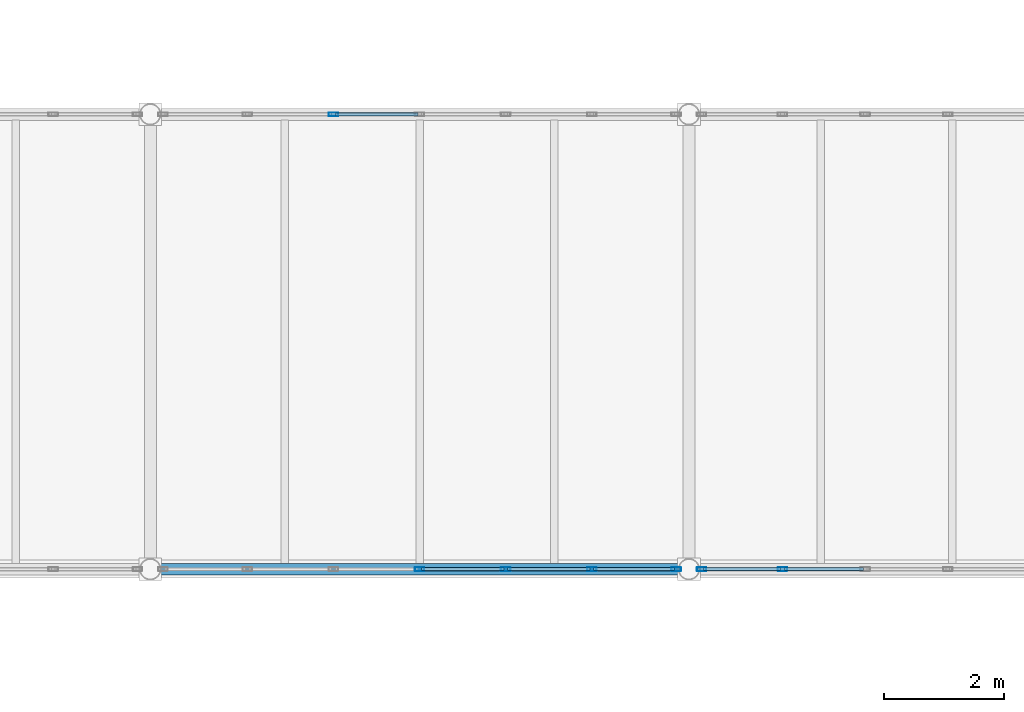
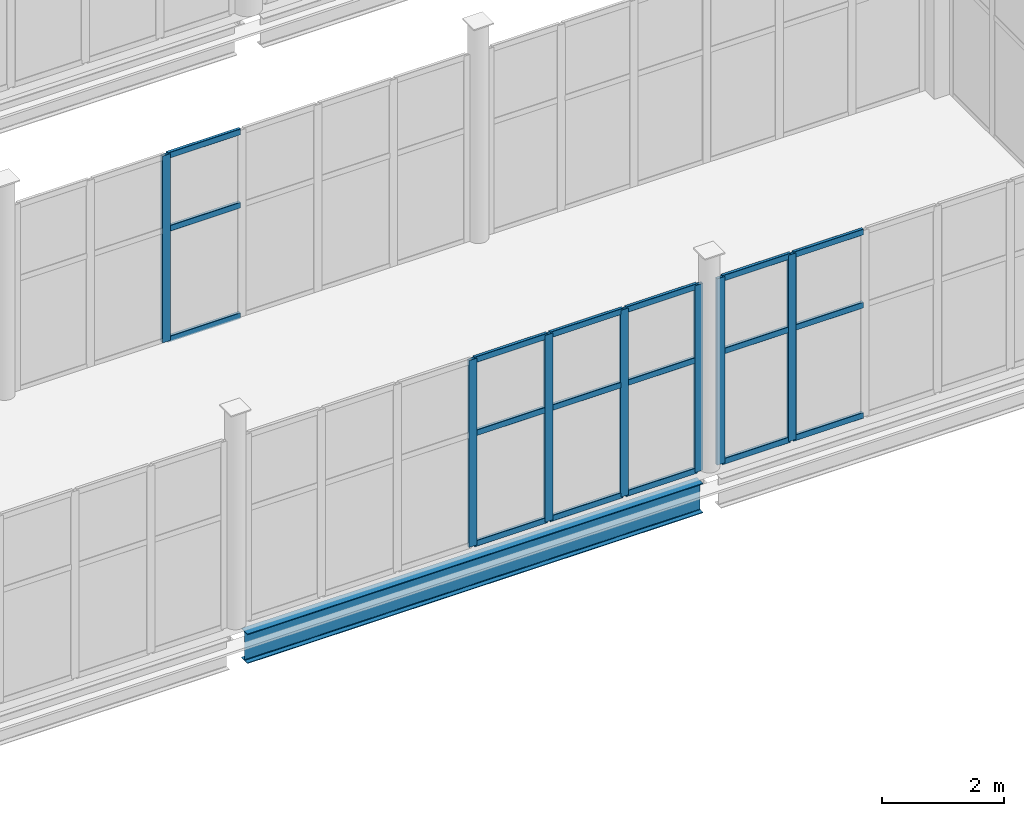
# One storey, part 105 of 172: 25 members, 1 beam, 3 elements without a shape of their own.
"""IFC4 building model written with IfcOpenShell, lengths in metres."""

import ifcopenshell
import ifcopenshell.guid

model = None  # the IFC model being written
_history = None  # IfcOwnerHistory: only IFC2X3 demands one
_inside = {}  # id of a spatial element -> (the spatial element, [elements in it])
_under = {}  # id of a project, library or spatial element -> (it, [spatial elements below it])
_declared = {}  # id of a project -> (the project, [libraries it declares])
_typed = {}  # id of a type object -> (the type object, [elements of that type])
_made_of = {}  # id of a material, layer set ... -> (it, [elements and type objects made of it])


def new_model(schema):
    """Start an empty IFC model of exactly this schema.

    Asked for "IFC4X3", IfcOpenShell would pick the latest addendum, in which some entities
    have other attributes; the version numbers below select the first issue.
    IFC2X3 requires an IfcOwnerHistory on every rooted entity: one is made here for all.
    """
    global model, _history
    if schema == "IFC4X3":
        model = ifcopenshell.file(schema_version=(4, 3, 0, 0))
    else:
        model = ifcopenshell.file(schema=schema)
    _inside.clear()
    _under.clear()
    _declared.clear()
    _typed.clear()
    _made_of.clear()
    _history = None
    if model.schema == "IFC2X3":
        org = make("IfcOrganization", Name="unknown")
        user = make(
            "IfcPersonAndOrganization",
            ThePerson=make("IfcPerson", FamilyName="unknown"),
            TheOrganization=org,
        )
        app = make(
            "IfcApplication",
            ApplicationDeveloper=org,
            Version="unknown",
            ApplicationFullName="unknown",
            ApplicationIdentifier="unknown",
        )
        _history = make(
            "IfcOwnerHistory",
            OwningUser=user,
            OwningApplication=app,
            ChangeAction="ADDED",
            CreationDate=0,
        )
    return model


def make(cls, **values):
    """One entity of the class cls with the attributes given. An attribute that is None is left unset."""
    return model.create_entity(
        cls, **{name: value for name, value in values.items() if value is not None}
    )


def rooted(cls, **values):
    """An entity with a GlobalId (a new one), such as an element, a storey or a relation."""
    return make(cls, GlobalId=ifcopenshell.guid.new(), OwnerHistory=_history, **values)


def si_unit(unit_type, name, prefix=None):
    """IfcSIUnit, for example si_unit("LENGTHUNIT", "METRE", prefix="MILLI")."""
    return make("IfcSIUnit", UnitType=unit_type, Prefix=prefix, Name=name)


def assignment(units):
    """IfcUnitAssignment: the units of a project."""
    return None if units is None else make("IfcUnitAssignment", Units=units)


def point(xyz):
    """IfcCartesianPoint."""
    return None if xyz is None else make("IfcCartesianPoint", Coordinates=xyz)


def direction(xyz):
    """IfcDirection."""
    return None if xyz is None else make("IfcDirection", DirectionRatios=xyz)


def frame(location, z_axis=None, x_axis=None):
    """IfcAxis2Placement3D, a coordinate frame: its origin and axes. An axis left out is left unset."""
    return make(
        "IfcAxis2Placement3D",
        Location=point(location),
        Axis=direction(z_axis),
        RefDirection=direction(x_axis),
    )


def frame_2d(location, x_axis=None):
    """IfcAxis2Placement2D, a coordinate frame in the plane: its origin and x axis."""
    return make(
        "IfcAxis2Placement2D", Location=point(location), RefDirection=direction(x_axis)
    )


def origin():
    """The frame at (0, 0, 0) with its axes left unset."""
    return frame((0.0, 0.0, 0.0))


def origin_2d():
    """The frame at (0, 0) in the plane with its x axis left unset."""
    return frame_2d((0.0, 0.0))


def place(relative_to, where):
    """IfcLocalPlacement: puts the frame where relative to a parent placement (None: the world)."""
    return make(
        "IfcLocalPlacement", PlacementRelTo=relative_to, RelativePlacement=where
    )


def context(
    kind, dimensions, precision=None, world=None, true_north=None, identifier=None
):
    """IfcGeometricRepresentationContext, for example the 3D "Model" context."""
    return make(
        "IfcGeometricRepresentationContext",
        ContextIdentifier=identifier,
        ContextType=kind,
        CoordinateSpaceDimension=dimensions,
        Precision=precision,
        WorldCoordinateSystem=world,
        TrueNorth=true_north,
    )


def subcontext(parent, identifier, kind, view, scale=None):
    """IfcGeometricRepresentationSubContext, for example "Body" below "Model"."""
    return make(
        "IfcGeometricRepresentationSubContext",
        ContextIdentifier=identifier,
        ContextType=kind,
        ParentContext=parent,
        TargetScale=scale,
        TargetView=view,
    )


def project(units=None, contexts=None):
    """IfcProject with its units and contexts."""
    return rooted(
        "IfcProject",
        Name="project",
        RepresentationContexts=contexts,
        UnitsInContext=assignment(units),
    )


def spatial(cls, under=None, at=None, **own):
    """A site, building, storey or space (cls), placed at a placement, below another one or the project."""
    s = rooted(cls, ObjectPlacement=at, **own)
    if under is not None:
        _under.setdefault(under.id(), (under, []))[1].append(s)
    return s


def profile(cls, at=None, kind="AREA", **sizes):
    """A parametric profile (cls). Its sizes go by their IFC names, for example OverallWidth=200.0."""
    return make(cls, ProfileType=kind, Position=at, **sizes)


def hollow_rectangle(**sizes):
    """IfcRectangleHollowProfileDef."""
    return profile("IfcRectangleHollowProfileDef", **sizes)


def i_section(**sizes):
    """IfcIShapeProfileDef."""
    return profile("IfcIShapeProfileDef", **sizes)


def extrude(swept, where, along, depth):
    """IfcExtrudedAreaSolid: the profile swept, set in the frame where, extruded along a direction by depth."""
    return make(
        "IfcExtrudedAreaSolid",
        SweptArea=swept,
        Position=where,
        ExtrudedDirection=direction(along),
        Depth=depth,
    )


def shape(context_of_items, identifier, shape_type, items):
    """IfcShapeRepresentation: the items that make up one representation, for example the "Body"."""
    return make(
        "IfcShapeRepresentation",
        ContextOfItems=context_of_items,
        RepresentationIdentifier=identifier,
        RepresentationType=shape_type,
        Items=items,
    )


def material(Name=None, Category=None):
    """IfcMaterial."""
    return make("IfcMaterial", Name=Name, Category=Category)


def material_profile(
    of_material, cross_section, Name=None, Category=None, Priority=None
):
    """IfcMaterialProfile: a cross section and its material."""
    return make(
        "IfcMaterialProfile",
        Name=Name,
        Material=of_material,
        Profile=cross_section,
        Priority=Priority,
        Category=Category,
    )


def profile_set(profiles, Name=None, composite=None):
    """IfcMaterialProfileSet."""
    return make(
        "IfcMaterialProfileSet",
        Name=Name,
        MaterialProfiles=profiles,
        CompositeProfile=composite,
    )


def made_of(thing, what):
    """Note that an element or type object is made of a material, layer set ...; save() writes the relation."""
    if what is not None:
        _made_of.setdefault(what.id(), (what, []))[1].append(thing)
    return thing


def type_object(cls, material=None, **own):
    """A type object (cls), such as IfcWallType, which elements share."""
    return made_of(rooted(cls, **own), material)


def element(
    cls,
    number,
    at=None,
    inside=None,
    cuts=None,
    type_object=None,
    material=None,
    context=None,
    identifier="Body",
    shape_type=None,
    held_by="IfcProductDefinitionShape",
    body=None,
    shapes=None,
    **own,
):
    """One element of the class cls, such as IfcWall. Its Tag is "e" and its number.

    at: its placement. inside: the storey or other place that contains it. cuts: it is an
    opening in that element (IfcRelVoidsElement). A single representation is given by context,
    identifier, shape_type and body (its items); several are given by shapes. held_by: the class
    of the entity that holds the representations. save() writes the other relations.
    """
    e = rooted(cls, Tag="e%d" % number, ObjectPlacement=at, **own)
    if body is not None:
        shapes = [shape(context, identifier, shape_type, body)]
    if shapes is not None:
        e.Representation = make(held_by, Representations=shapes)
    if inside is not None:
        _inside.setdefault(inside.id(), (inside, []))[1].append(e)
    if cuts is not None:
        rooted(
            "IfcRelVoidsElement", RelatingBuildingElement=cuts, RelatedOpeningElement=e
        )
    if type_object is not None:
        _typed.setdefault(type_object.id(), (type_object, []))[1].append(e)
    return made_of(e, material)


def aggregate(whole, parts):
    """IfcRelAggregates: a whole, such as a stair, and the parts it consists of."""
    return rooted("IfcRelAggregates", RelatingObject=whole, RelatedObjects=parts)


def save(model, path):
    """Write the relations noted so far, then the file.

    IfcRelAggregates (storeys below a building ...), IfcRelContainedInSpatialStructure (elements
    in a storey), IfcRelDefinesByType, IfcRelAssociatesMaterial and IfcRelDeclares: one each for
    every whole, place, type object, material and project.
    """
    for whole, parts in _under.values():
        aggregate(whole, parts)
    for where, things in _inside.values():
        rooted(
            "IfcRelContainedInSpatialStructure",
            RelatedElements=things,
            RelatingStructure=where,
        )
    for kind, things in _typed.values():
        rooted("IfcRelDefinesByType", RelatedObjects=things, RelatingType=kind)
    for what, things in _made_of.values():
        rooted("IfcRelAssociatesMaterial", RelatedObjects=things, RelatingMaterial=what)
    for by, libraries in _declared.values():
        rooted("IfcRelDeclares", RelatingContext=by, RelatedDefinitions=libraries)
    model.write(path)


model = new_model("IFC4")

# Units and contexts
model_context = context("Model", 3, precision=1e-05, world=origin(), true_north=direction((0.0, 1.0)))
body_context = subcontext(model_context, "Body", "Model", "MODEL_VIEW")
ifc_project = project(units=[si_unit("LENGTHUNIT", "METRE"), si_unit("AREAUNIT", "SQUARE_METRE"), si_unit("VOLUMEUNIT", "CUBIC_METRE"), si_unit("PLANEANGLEUNIT", "RADIAN"), si_unit("MASSUNIT", "GRAM", prefix="KILO")], contexts=[model_context])

# Site, building, storey
site_placement = place(None, origin())
site = spatial("IfcSite", under=ifc_project, at=site_placement, CompositionType="ELEMENT")
building_placement = place(site_placement, origin())
building = spatial("IfcBuilding", under=site, at=building_placement, Name="Shengluoqiao Park Theatre", CompositionType="ELEMENT")
storey_placement = place(building_placement, frame((0.0, 0.0, 5.39990234375)))
storey = spatial("IfcBuildingStorey", under=building, at=storey_placement, Name="L01", CompositionType="ELEMENT", Elevation=5.39990234375)

# Curtain wall, members
ifc_material_1 = material(Name="Aluminium 6063-T6", Category="aluminium")
curtain_wall_type = type_object("IfcCurtainWallType", Name="ENV-CW-BRIDGE", PredefinedType="NOTDEFINED", material=ifc_material_1)
curtain_wall_1_placement = place(storey_placement, origin())
curtain_wall_1 = element("IfcCurtainWall", 1, at=curtain_wall_1_placement, inside=storey, type_object=curtain_wall_type, Name="L01 Curtain Wall CWX-L01-0134", PredefinedType="NOTDEFINED")
ifc_material_profile_1 = material_profile(ifc_material_1, hollow_rectangle(XDim=0.06005859375, YDim=0.159912109375, WallThickness=0.00390625, InnerFilletRadius=0.00390625, OuterFilletRadius=0.008056640625, at=origin_2d()), Name="ALU MULLION 160x60x4")
ifc_profile_set_1 = profile_set([ifc_material_profile_1], Name="Aluminium 6063-T6")
member_type_1 = type_object("IfcMemberType", Name="ENV-MUL-160", PredefinedType="MULLION", material=ifc_profile_set_1)
member_1_placement = place(storey_placement, frame((143.89990234375, 53.199951171875, 0.0), z_axis=(0.0, 0.0, 1.0), x_axis=(0.0, 1.0, 0.0)))
member_1 = element("IfcMember", 2, at=member_1_placement, type_object=member_type_1, Name="CW-03 mullion 4", PredefinedType="MULLION", context=body_context, shape_type="SweptSolid", body=[
    extrude(hollow_rectangle(XDim=0.06005859375, YDim=0.159912109375, WallThickness=0.00390625, InnerFilletRadius=0.00390625, OuterFilletRadius=0.008056640625, at=origin_2d()), origin(), (0.0, 0.0, 1.0), 3.752197265625),
])
member_2_placement = place(storey_placement, frame((145.33935546875, 53.199951171875, 0.0), z_axis=(0.0, 0.0, 1.0), x_axis=(0.0, 1.0, 0.0)))
member_2 = element("IfcMember", 3, at=member_2_placement, type_object=member_type_1, Name="CW-03 mullion 5", PredefinedType="MULLION", context=body_context, shape_type="SweptSolid", body=[
    extrude(hollow_rectangle(XDim=0.06005859375, YDim=0.159912109375, WallThickness=0.00390625, InnerFilletRadius=0.00390625, OuterFilletRadius=0.008056640625, at=origin_2d()), origin(), (0.0, 0.0, 1.0), 3.752197265625),
])
member_3_placement = place(storey_placement, frame((146.778564453125, 53.199951171875, 0.0), z_axis=(0.0, 0.0, 1.0), x_axis=(0.0, 1.0, 0.0)))
member_3 = element("IfcMember", 4, at=member_3_placement, type_object=member_type_1, Name="CW-03 mullion 6", PredefinedType="MULLION", context=body_context, shape_type="SweptSolid", body=[
    extrude(hollow_rectangle(XDim=0.06005859375, YDim=0.159912109375, WallThickness=0.00390625, InnerFilletRadius=0.00390625, OuterFilletRadius=0.008056640625, at=origin_2d()), origin(), (0.0, 0.0, 1.0), 3.752197265625),
])
member_4_placement = place(storey_placement, frame((148.18798828125, 53.199951171875, 0.0), z_axis=(0.0, 0.0, 1.0), x_axis=(0.0, 1.0, 0.0)))
member_4 = element("IfcMember", 5, at=member_4_placement, type_object=member_type_1, Name="CW-03 mullion 7", PredefinedType="MULLION", context=body_context, shape_type="SweptSolid", body=[
    extrude(hollow_rectangle(XDim=0.06005859375, YDim=0.159912109375, WallThickness=0.00390625, InnerFilletRadius=0.00390625, OuterFilletRadius=0.008056640625, at=origin_2d()), origin(), (0.0, 0.0, 1.0), 3.752197265625),
])

curtain_wall_2_placement = place(storey_placement, origin())
curtain_wall_2 = element("IfcCurtainWall", 6, at=curtain_wall_2_placement, inside=storey, type_object=curtain_wall_type, Name="L01 Curtain Wall CWX-L01-0135", PredefinedType="NOTDEFINED")
member_5_placement = place(storey_placement, frame((148.612060546875, 53.199951171875, 0.0), z_axis=(0.0, 0.0, 1.0), x_axis=(0.0, 1.0, 0.0)))
member_5 = element("IfcMember", 7, at=member_5_placement, type_object=member_type_1, Name="CW-03 mullion 1", PredefinedType="MULLION", context=body_context, shape_type="SweptSolid", body=[
    extrude(hollow_rectangle(XDim=0.06005859375, YDim=0.159912109375, WallThickness=0.00390625, InnerFilletRadius=0.00390625, OuterFilletRadius=0.008056640625, at=origin_2d()), origin(), (0.0, 0.0, 1.0), 3.7421875),
])
member_6_placement = place(storey_placement, frame((149.96337890625, 53.199951171875, 0.0), z_axis=(0.0, 0.0, 1.0), x_axis=(0.0, 1.0, 0.0)))
member_6 = element("IfcMember", 8, at=member_6_placement, type_object=member_type_1, Name="CW-03 mullion 2", PredefinedType="MULLION", context=body_context, shape_type="SweptSolid", body=[
    extrude(hollow_rectangle(XDim=0.06005859375, YDim=0.159912109375, WallThickness=0.00390625, InnerFilletRadius=0.00390625, OuterFilletRadius=0.008056640625, at=origin_2d()), origin(), (0.0, 0.0, 1.0), 3.7421875),
])

# Curtain wall, member
curtain_wall_3_placement = place(storey_placement, origin())
curtain_wall_3 = element("IfcCurtainWall", 9, at=curtain_wall_3_placement, inside=storey, type_object=curtain_wall_type, Name="L01 Curtain Wall CWX-L01-0147", PredefinedType="NOTDEFINED")
member_7_placement = place(storey_placement, frame((142.460693359375, 60.800048828125, 0.0), z_axis=(0.0, 0.0, 1.0), x_axis=(0.0, 1.0, 0.0)))
member_7 = element("IfcMember", 10, at=member_7_placement, type_object=member_type_1, Name="CW-03 mullion 3", PredefinedType="MULLION", context=body_context, shape_type="SweptSolid", body=[
    extrude(hollow_rectangle(XDim=0.06005859375, YDim=0.159912109375, WallThickness=0.00390625, InnerFilletRadius=0.00390625, OuterFilletRadius=0.008056640625, at=origin_2d()), origin(), (0.0, 0.0, 1.0), 3.752197265625),
])

# Member
ifc_material_profile_2 = material_profile(ifc_material_1, hollow_rectangle(XDim=0.06005859375, YDim=0.1201171875, WallThickness=0.00390625, InnerFilletRadius=0.00390625, OuterFilletRadius=0.008056640625, at=origin_2d()), Name="ALU TRANSOM 120x60x4")
ifc_profile_set_2 = profile_set([ifc_material_profile_2], Name="Aluminium 6063-T6")
member_type_2 = type_object("IfcMemberType", Name="ENV-TRN-120", PredefinedType="USERDEFINED", material=ifc_profile_set_2)
member_8_placement = place(storey_placement, frame((143.929931640625, 53.199951171875, 0.030029296875), z_axis=(1.0, 0.0, 0.0), x_axis=(0.0, 1.0, 0.0)))
member_8 = element("IfcMember", 11, at=member_8_placement, type_object=member_type_2, Name="CW-03 transom 4.1", ObjectType="TRANSOM", PredefinedType="USERDEFINED", context=body_context, shape_type="SweptSolid", body=[
    extrude(hollow_rectangle(XDim=0.06005859375, YDim=0.1201171875, WallThickness=0.00390625, InnerFilletRadius=0.00390625, OuterFilletRadius=0.008056640625, at=origin_2d()), origin(), (0.0, 0.0, 1.0), 1.37939453125),
])

member_9_placement = place(storey_placement, frame((143.929931640625, 53.199951171875, 2.2509765625), z_axis=(1.0, 0.0, 0.0), x_axis=(0.0, 1.0, 0.0)))
member_9 = element("IfcMember", 12, at=member_9_placement, type_object=member_type_2, Name="CW-03 transom 4.2", ObjectType="TRANSOM", PredefinedType="USERDEFINED", context=body_context, shape_type="SweptSolid", body=[
    extrude(hollow_rectangle(XDim=0.06005859375, YDim=0.1201171875, WallThickness=0.00390625, InnerFilletRadius=0.00390625, OuterFilletRadius=0.008056640625, at=origin_2d()), origin(), (0.0, 0.0, 1.0), 1.37939453125),
])

member_10_placement = place(storey_placement, frame((143.929931640625, 53.199951171875, 3.72216796875), z_axis=(1.0, 0.0, 0.0), x_axis=(0.0, 1.0, 0.0)))
member_10 = element("IfcMember", 13, at=member_10_placement, type_object=member_type_2, Name="CW-03 transom 4.3", ObjectType="TRANSOM", PredefinedType="USERDEFINED", context=body_context, shape_type="SweptSolid", body=[
    extrude(hollow_rectangle(XDim=0.06005859375, YDim=0.1201171875, WallThickness=0.00390625, InnerFilletRadius=0.00390625, OuterFilletRadius=0.008056640625, at=origin_2d()), origin(), (0.0, 0.0, 1.0), 1.37939453125),
])

member_11_placement = place(storey_placement, frame((145.369384765625, 53.199951171875, 0.030029296875), z_axis=(1.0, 0.0, 0.0), x_axis=(0.0, 1.0, 0.0)))
member_11 = element("IfcMember", 14, at=member_11_placement, type_object=member_type_2, Name="CW-03 transom 5.1", ObjectType="TRANSOM", PredefinedType="USERDEFINED", context=body_context, shape_type="SweptSolid", body=[
    extrude(hollow_rectangle(XDim=0.06005859375, YDim=0.1201171875, WallThickness=0.00390625, InnerFilletRadius=0.00390625, OuterFilletRadius=0.008056640625, at=origin_2d()), origin(), (0.0, 0.0, 1.0), 1.37939453125),
])

member_12_placement = place(storey_placement, frame((145.369384765625, 53.199951171875, 2.2509765625), z_axis=(1.0, 0.0, 0.0), x_axis=(0.0, 1.0, 0.0)))
member_12 = element("IfcMember", 15, at=member_12_placement, type_object=member_type_2, Name="CW-03 transom 5.2", ObjectType="TRANSOM", PredefinedType="USERDEFINED", context=body_context, shape_type="SweptSolid", body=[
    extrude(hollow_rectangle(XDim=0.06005859375, YDim=0.1201171875, WallThickness=0.00390625, InnerFilletRadius=0.00390625, OuterFilletRadius=0.008056640625, at=origin_2d()), origin(), (0.0, 0.0, 1.0), 1.37939453125),
])

member_13_placement = place(storey_placement, frame((145.369384765625, 53.199951171875, 3.72216796875), z_axis=(1.0, 0.0, 0.0), x_axis=(0.0, 1.0, 0.0)))
member_13 = element("IfcMember", 16, at=member_13_placement, type_object=member_type_2, Name="CW-03 transom 5.3", ObjectType="TRANSOM", PredefinedType="USERDEFINED", context=body_context, shape_type="SweptSolid", body=[
    extrude(hollow_rectangle(XDim=0.06005859375, YDim=0.1201171875, WallThickness=0.00390625, InnerFilletRadius=0.00390625, OuterFilletRadius=0.008056640625, at=origin_2d()), origin(), (0.0, 0.0, 1.0), 1.37939453125),
])

member_14_placement = place(storey_placement, frame((146.80859375, 53.199951171875, 0.030029296875), z_axis=(1.0, 0.0, 0.0), x_axis=(0.0, 1.0, 0.0)))
member_14 = element("IfcMember", 17, at=member_14_placement, type_object=member_type_2, Name="CW-03 transom 6.1", ObjectType="TRANSOM", PredefinedType="USERDEFINED", context=body_context, shape_type="SweptSolid", body=[
    extrude(hollow_rectangle(XDim=0.06005859375, YDim=0.1201171875, WallThickness=0.00390625, InnerFilletRadius=0.00390625, OuterFilletRadius=0.008056640625, at=origin_2d()), origin(), (0.0, 0.0, 1.0), 1.349365234375),
])

member_15_placement = place(storey_placement, frame((146.80859375, 53.199951171875, 2.2509765625), z_axis=(1.0, 0.0, 0.0), x_axis=(0.0, 1.0, 0.0)))
member_15 = element("IfcMember", 18, at=member_15_placement, type_object=member_type_2, Name="CW-03 transom 6.2", ObjectType="TRANSOM", PredefinedType="USERDEFINED", context=body_context, shape_type="SweptSolid", body=[
    extrude(hollow_rectangle(XDim=0.06005859375, YDim=0.1201171875, WallThickness=0.00390625, InnerFilletRadius=0.00390625, OuterFilletRadius=0.008056640625, at=origin_2d()), origin(), (0.0, 0.0, 1.0), 1.349365234375),
])

member_16_placement = place(storey_placement, frame((146.80859375, 53.199951171875, 3.72216796875), z_axis=(1.0, 0.0, 0.0), x_axis=(0.0, 1.0, 0.0)))
member_16 = element("IfcMember", 19, at=member_16_placement, type_object=member_type_2, Name="CW-03 transom 6.3", ObjectType="TRANSOM", PredefinedType="USERDEFINED", context=body_context, shape_type="SweptSolid", body=[
    extrude(hollow_rectangle(XDim=0.06005859375, YDim=0.1201171875, WallThickness=0.00390625, InnerFilletRadius=0.00390625, OuterFilletRadius=0.008056640625, at=origin_2d()), origin(), (0.0, 0.0, 1.0), 1.349365234375),
])

aggregate(curtain_wall_1, [member_1, member_2, member_3, member_4, member_8, member_9, member_10, member_11, member_12, member_13, member_14, member_15, member_16])

member_17_placement = place(storey_placement, frame((148.64208984375, 53.199951171875, 0.030029296875), z_axis=(1.0, 0.0, 0.0), x_axis=(0.0, 1.0, 0.0)))
member_17 = element("IfcMember", 20, at=member_17_placement, type_object=member_type_2, Name="CW-03 transom 1.1", ObjectType="TRANSOM", PredefinedType="USERDEFINED", context=body_context, shape_type="SweptSolid", body=[
    extrude(hollow_rectangle(XDim=0.06005859375, YDim=0.1201171875, WallThickness=0.00390625, InnerFilletRadius=0.00390625, OuterFilletRadius=0.008056640625, at=origin_2d()), origin(), (0.0, 0.0, 1.0), 1.29150390625),
])

member_18_placement = place(storey_placement, frame((148.64208984375, 53.199951171875, 2.2451171875), z_axis=(1.0, 0.0, 0.0), x_axis=(0.0, 1.0, 0.0)))
member_18 = element("IfcMember", 21, at=member_18_placement, type_object=member_type_2, Name="CW-03 transom 1.2", ObjectType="TRANSOM", PredefinedType="USERDEFINED", context=body_context, shape_type="SweptSolid", body=[
    extrude(hollow_rectangle(XDim=0.06005859375, YDim=0.1201171875, WallThickness=0.00390625, InnerFilletRadius=0.00390625, OuterFilletRadius=0.008056640625, at=origin_2d()), origin(), (0.0, 0.0, 1.0), 1.29150390625),
])

member_19_placement = place(storey_placement, frame((148.64208984375, 53.199951171875, 3.712158203125), z_axis=(1.0, 0.0, 0.0), x_axis=(0.0, 1.0, 0.0)))
member_19 = element("IfcMember", 22, at=member_19_placement, type_object=member_type_2, Name="CW-03 transom 1.3", ObjectType="TRANSOM", PredefinedType="USERDEFINED", context=body_context, shape_type="SweptSolid", body=[
    extrude(hollow_rectangle(XDim=0.06005859375, YDim=0.1201171875, WallThickness=0.00390625, InnerFilletRadius=0.00390625, OuterFilletRadius=0.008056640625, at=origin_2d()), origin(), (0.0, 0.0, 1.0), 1.29150390625),
])

member_20_placement = place(storey_placement, frame((149.993408203125, 53.199951171875, 0.030029296875), z_axis=(1.0, 0.0, 0.0), x_axis=(0.0, 1.0, 0.0)))
member_20 = element("IfcMember", 23, at=member_20_placement, type_object=member_type_2, Name="CW-03 transom 2.1", ObjectType="TRANSOM", PredefinedType="USERDEFINED", context=body_context, shape_type="SweptSolid", body=[
    extrude(hollow_rectangle(XDim=0.06005859375, YDim=0.1201171875, WallThickness=0.00390625, InnerFilletRadius=0.00390625, OuterFilletRadius=0.008056640625, at=origin_2d()), origin(), (0.0, 0.0, 1.0), 1.321533203125),
])

member_21_placement = place(storey_placement, frame((149.993408203125, 53.199951171875, 2.2451171875), z_axis=(1.0, 0.0, 0.0), x_axis=(0.0, 1.0, 0.0)))
member_21 = element("IfcMember", 24, at=member_21_placement, type_object=member_type_2, Name="CW-03 transom 2.2", ObjectType="TRANSOM", PredefinedType="USERDEFINED", context=body_context, shape_type="SweptSolid", body=[
    extrude(hollow_rectangle(XDim=0.06005859375, YDim=0.1201171875, WallThickness=0.00390625, InnerFilletRadius=0.00390625, OuterFilletRadius=0.008056640625, at=origin_2d()), origin(), (0.0, 0.0, 1.0), 1.321533203125),
])

member_22_placement = place(storey_placement, frame((149.993408203125, 53.199951171875, 3.712158203125), z_axis=(1.0, 0.0, 0.0), x_axis=(0.0, 1.0, 0.0)))
member_22 = element("IfcMember", 25, at=member_22_placement, type_object=member_type_2, Name="CW-03 transom 2.3", ObjectType="TRANSOM", PredefinedType="USERDEFINED", context=body_context, shape_type="SweptSolid", body=[
    extrude(hollow_rectangle(XDim=0.06005859375, YDim=0.1201171875, WallThickness=0.00390625, InnerFilletRadius=0.00390625, OuterFilletRadius=0.008056640625, at=origin_2d()), origin(), (0.0, 0.0, 1.0), 1.321533203125),
])

aggregate(curtain_wall_2, [member_5, member_6, member_17, member_18, member_19, member_20, member_21, member_22])

member_23_placement = place(storey_placement, frame((142.49072265625, 60.800048828125, 0.030029296875), z_axis=(1.0, 0.0, 0.0), x_axis=(0.0, 1.0, 0.0)))
member_23 = element("IfcMember", 26, at=member_23_placement, type_object=member_type_2, Name="CW-03 transom 3.1", ObjectType="TRANSOM", PredefinedType="USERDEFINED", context=body_context, shape_type="SweptSolid", body=[
    extrude(hollow_rectangle(XDim=0.06005859375, YDim=0.1201171875, WallThickness=0.00390625, InnerFilletRadius=0.00390625, OuterFilletRadius=0.008056640625, at=origin_2d()), origin(), (0.0, 0.0, 1.0), 1.37939453125),
])

member_24_placement = place(storey_placement, frame((142.49072265625, 60.800048828125, 2.2509765625), z_axis=(1.0, 0.0, 0.0), x_axis=(0.0, 1.0, 0.0)))
member_24 = element("IfcMember", 27, at=member_24_placement, type_object=member_type_2, Name="CW-03 transom 3.2", ObjectType="TRANSOM", PredefinedType="USERDEFINED", context=body_context, shape_type="SweptSolid", body=[
    extrude(hollow_rectangle(XDim=0.06005859375, YDim=0.1201171875, WallThickness=0.00390625, InnerFilletRadius=0.00390625, OuterFilletRadius=0.008056640625, at=origin_2d()), origin(), (0.0, 0.0, 1.0), 1.37939453125),
])

member_25_placement = place(storey_placement, frame((142.49072265625, 60.800048828125, 3.72216796875), z_axis=(1.0, 0.0, 0.0), x_axis=(0.0, 1.0, 0.0)))
member_25 = element("IfcMember", 28, at=member_25_placement, type_object=member_type_2, Name="CW-03 transom 3.3", ObjectType="TRANSOM", PredefinedType="USERDEFINED", context=body_context, shape_type="SweptSolid", body=[
    extrude(hollow_rectangle(XDim=0.06005859375, YDim=0.1201171875, WallThickness=0.00390625, InnerFilletRadius=0.00390625, OuterFilletRadius=0.008056640625, at=origin_2d()), origin(), (0.0, 0.0, 1.0), 1.37939453125),
])

aggregate(curtain_wall_3, [member_7, member_23, member_24, member_25])

# Beam
ifc_material_2 = material(Name="Steel Q355", Category="steel")
ifc_material_profile_3 = material_profile(ifc_material_2, i_section(OverallWidth=0.198974609375, OverallDepth=0.595947265625, WebThickness=0.010009765625, FlangeThickness=0.014892578125, FilletRadius=0.02001953125, at=origin_2d()), Name="HN 596x199x10x15")
ifc_profile_set_3 = profile_set([ifc_material_profile_3], Name="Steel Q355")
beam_type = type_object("IfcBeamType", Name="STR-BM-SP-HN596", PredefinedType="SPANDREL", material=ifc_profile_set_3)
beam_placement = place(storey_placement, frame((139.572021484375, 53.199951171875, -0.5078125), z_axis=(1.0, 0.0, 0.0), x_axis=(0.0, 1.0, 0.0)))
element("IfcBeam", 29, at=beam_placement, inside=storey, type_object=beam_type, Name="L01 Primary Girder 00572", PredefinedType="SPANDREL", context=body_context, shape_type="SweptSolid", body=[
    extrude(i_section(OverallWidth=0.198974609375, OverallDepth=0.595947265625, WebThickness=0.010009765625, FlangeThickness=0.014892578125, FilletRadius=0.02001953125, at=origin_2d()), origin(), (0.0, 0.0, 1.0), 8.656005859375),
])

save(model, "model.ifc")
